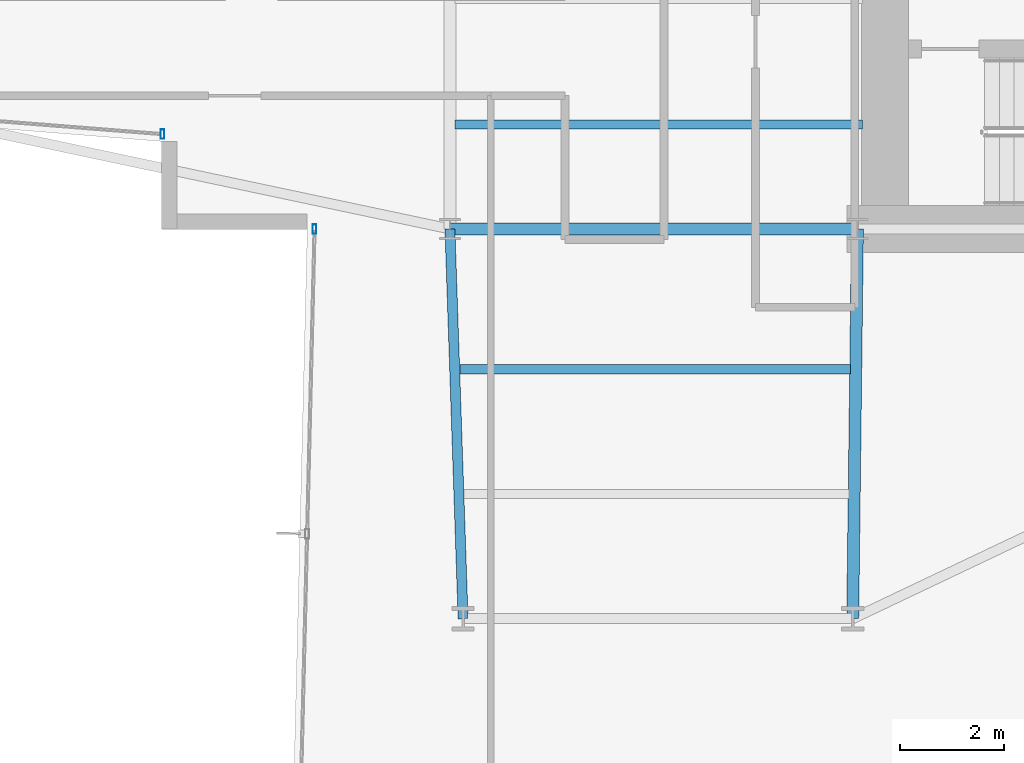
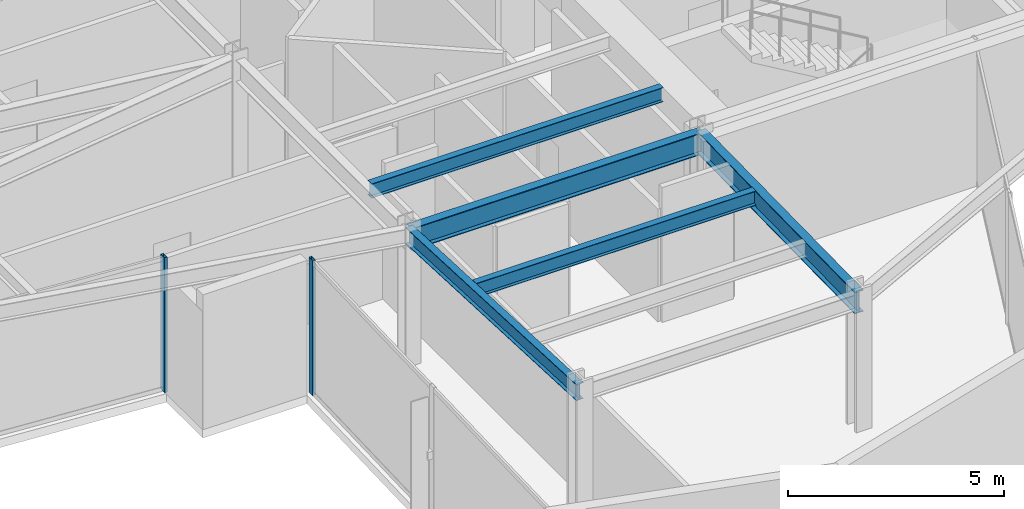
# One storey, part 5 of 25: 5 beams, 2 members, 2 elements without a shape of their own.
"""IFC4 building model written with IfcOpenShell, lengths in metres."""

from ifc_helpers import new_model, si_unit, direction, frame, origin, origin_2d, place, context, subcontext, project, spatial, hollow_rectangle, i_section, extrude, material, layer, layer_set, material_profile, profile_set, type_object, element, aggregate, save


model = new_model("IFC4")

# Units and contexts
model_context = context("Model", 3, precision=1e-05, world=origin(), true_north=direction((0.0, 1.0)))
body_context = subcontext(model_context, "Body", "Model", "MODEL_VIEW")
ifc_project = project(units=[si_unit("LENGTHUNIT", "METRE"), si_unit("AREAUNIT", "SQUARE_METRE"), si_unit("VOLUMEUNIT", "CUBIC_METRE"), si_unit("PLANEANGLEUNIT", "RADIAN"), si_unit("MASSUNIT", "GRAM", prefix="KILO")], contexts=[model_context])

# Site, building, storey
site_placement = place(None, origin())
site = spatial("IfcSite", under=ifc_project, at=site_placement, CompositionType="ELEMENT")
building_placement = place(site_placement, origin())
building = spatial("IfcBuilding", under=site, at=building_placement, Name="Veymaron Broadcast Tower", CompositionType="ELEMENT")
storey_placement = place(building_placement, frame((0.0, 0.0, 74.25)))
storey = spatial("IfcBuildingStorey", under=building, at=storey_placement, Name="L16", CompositionType="ELEMENT", Elevation=74.25)

# Beams
ifc_material_1 = material(Name="Structural steel ASTM A992 Gr 50", Category="steel")
ifc_material_profile_1 = material_profile(ifc_material_1, i_section(OverallWidth=0.22998046875, OverallDepth=0.616943359375, WebThickness=0.01318359375, FlangeThickness=0.022216796875, at=origin_2d()), Name="W610X140")
ifc_profile_set_1 = profile_set([ifc_material_profile_1], Name="Structural steel ASTM A992 Gr 50")
beam_type_1 = type_object("IfcBeamType", Name="BM-FG1", PredefinedType="BEAM", material=ifc_profile_set_1)
beam_1_placement = place(storey_placement, frame((31.199951171875, 16.0, 3.50146484375), z_axis=(1.0, 0.0, 0.0), x_axis=(0.0, 1.0, 0.0)))
element("IfcBeam", 1, at=beam_1_placement, inside=storey, type_object=beam_type_1, Name="L16 primary structural floor girder", PredefinedType="BEAM", context=body_context, shape_type="SweptSolid", body=[
    extrude(i_section(OverallWidth=0.22998046875, OverallDepth=0.616943359375, WebThickness=0.01318359375, FlangeThickness=0.022216796875, at=origin_2d()), origin(), (0.0, 0.0, 1.0), 7.800048828125),
])
beam_2_placement = place(storey_placement, frame((39.0, 16.0, 3.50146484375), z_axis=(-0.012075307518, -0.999927090816, 0.0), x_axis=(0.999927090816, -0.012075307518, 0.0)))
element("IfcBeam", 2, at=beam_2_placement, inside=storey, type_object=beam_type_1, Name="L16 primary structural floor girder", PredefinedType="BEAM", context=body_context, shape_type="SweptSolid", body=[
    extrude(i_section(OverallWidth=0.22998046875, OverallDepth=0.616943359375, WebThickness=0.01318359375, FlangeThickness=0.022216796875, at=origin_2d()), origin(), (0.0, 0.0, 1.0), 7.46044921875),
])
ifc_material_profile_2 = material_profile(ifc_material_1, i_section(OverallWidth=0.177978515625, OverallDepth=0.406982421875, WebThickness=0.0078125, FlangeThickness=0.0126953125, at=origin_2d()), Name="W410X60")
ifc_profile_set_2 = profile_set([ifc_material_profile_2], Name="Structural steel ASTM A992 Gr 50")
beam_type_2 = type_object("IfcBeamType", Name="BM-JS1", PredefinedType="JOIST", material=ifc_profile_set_2)
beam_3_placement = place(storey_placement, frame((31.390625, 13.314453125, 3.6064453125), z_axis=(1.0, 0.0, 0.0), x_axis=(0.0, 1.0, 0.0)))
element("IfcBeam", 3, at=beam_3_placement, inside=storey, type_object=beam_type_2, Name="L16 Arm-C secondary joist 1", PredefinedType="JOIST", context=body_context, shape_type="SweptSolid", body=[
    extrude(i_section(OverallWidth=0.177978515625, OverallDepth=0.406982421875, WebThickness=0.0078125, FlangeThickness=0.0126953125, at=origin_2d()), origin(), (0.0, 0.0, 1.0), 7.47705078125),
])
beam_4_placement = place(storey_placement, frame((31.300048828125, 18.0, 3.6064453125), z_axis=(1.0, 0.0, 0.0), x_axis=(0.0, 1.0, 0.0)))
element("IfcBeam", 4, at=beam_4_placement, inside=storey, type_object=beam_type_2, Name="L16 Hub secondary joist 1", PredefinedType="JOIST", context=body_context, shape_type="SweptSolid", body=[
    extrude(i_section(OverallWidth=0.177978515625, OverallDepth=0.406982421875, WebThickness=0.0078125, FlangeThickness=0.0126953125, at=origin_2d()), origin(), (0.0, 0.0, 1.0), 7.800048828125),
])
ifc_material_profile_3 = material_profile(ifc_material_1, i_section(OverallWidth=0.19091796875, OverallDepth=0.4599609375, WebThickness=0.010009765625, FlangeThickness=0.01611328125, at=origin_2d()), Name="W460X82")
ifc_profile_set_3 = profile_set([ifc_material_profile_3], Name="Structural steel ASTM A992 Gr 50")
beam_type_3 = type_object("IfcBeamType", Name="BM-SP1", PredefinedType="SPANDREL", material=ifc_profile_set_3)
beam_5_placement = place(storey_placement, frame((31.199951171875, 16.0, 3.580078125), z_axis=(0.033754807852, -0.999430144106, 0.0), x_axis=(0.999430144106, 0.033754807852, 0.0)))
element("IfcBeam", 5, at=beam_5_placement, inside=storey, type_object=beam_type_3, Name="L16 primary structural floor girder", PredefinedType="SPANDREL", context=body_context, shape_type="SweptSolid", body=[
    extrude(i_section(OverallWidth=0.19091796875, OverallDepth=0.4599609375, WebThickness=0.010009765625, FlangeThickness=0.01611328125, at=origin_2d()), origin(), (0.0, 0.0, 1.0), 7.464111328125),
])

# Curtain wall, member
ifc_material_2 = material(Name="Anodised aluminium AA 6063-T6 and laminated low-E dark glass", Category="aluminium")
ifc_layer = layer(ifc_material_2, 0.179931640625)
ifc_layer_set = layer_set([ifc_layer], Name="Anodised aluminium AA 6063-T6 and laminated low-E dark glass")
curtain_wall_type = type_object("IfcCurtainWallType", Name="CW-SYS-02", PredefinedType="NOTDEFINED", material=ifc_layer_set)
curtain_wall_1_placement = place(storey_placement, origin())
curtain_wall_1 = element("IfcCurtainWall", 6, at=curtain_wall_1_placement, inside=storey, type_object=curtain_wall_type, Name="L16 dark-glass curtain wall CW-L16-E14-1", PredefinedType="NOTDEFINED")
ifc_material_3 = material(Name="Anodised aluminium AA 6063-T6", Category="aluminium")
ifc_material_profile_4 = material_profile(ifc_material_3, hollow_rectangle(XDim=0.074951171875, YDim=0.179931640625, WallThickness=0.0048828125, at=origin_2d()), Name="AL180X75X5")
ifc_profile_set_4 = profile_set([ifc_material_profile_4], Name="Anodised aluminium AA 6063-T6")
member_type = type_object("IfcMemberType", Name="CW-MUL-02", PredefinedType="MULLION", material=ifc_profile_set_4)
member_1_placement = place(storey_placement, frame((25.698974609375, 17.81494140625, 0.0), z_axis=(0.0, 0.0, 1.0), x_axis=(1.0, 0.0, 0.0)))
member_1 = element("IfcMember", 7, at=member_1_placement, type_object=member_type, Name="CW-L16-E14-1 mullion 2", PredefinedType="MULLION", context=body_context, shape_type="SweptSolid", body=[
    extrude(hollow_rectangle(XDim=0.074951171875, YDim=0.179931640625, WallThickness=0.0048828125, at=origin_2d()), origin(), (0.0, 0.0, 1.0), 3.81005859375),
])
aggregate(curtain_wall_1, [member_1])

curtain_wall_2_placement = place(storey_placement, origin())
curtain_wall_2 = element("IfcCurtainWall", 8, at=curtain_wall_2_placement, inside=storey, type_object=curtain_wall_type, Name="L16 dark-glass curtain wall CW-L16-E17-1", PredefinedType="NOTDEFINED")
member_2_placement = place(storey_placement, frame((28.6083984375, 15.99658203125, 0.0), z_axis=(0.0, 0.0, 1.0), x_axis=(1.0, 0.0, 0.0)))
member_2 = element("IfcMember", 9, at=member_2_placement, type_object=member_type, Name="CW-L16-E17-1 mullion 0", PredefinedType="MULLION", context=body_context, shape_type="SweptSolid", body=[
    extrude(hollow_rectangle(XDim=0.074951171875, YDim=0.179931640625, WallThickness=0.0048828125, at=origin_2d()), origin(), (0.0, 0.0, 1.0), 3.81005859375),
])
aggregate(curtain_wall_2, [member_2])

save(model, "model.ifc")
